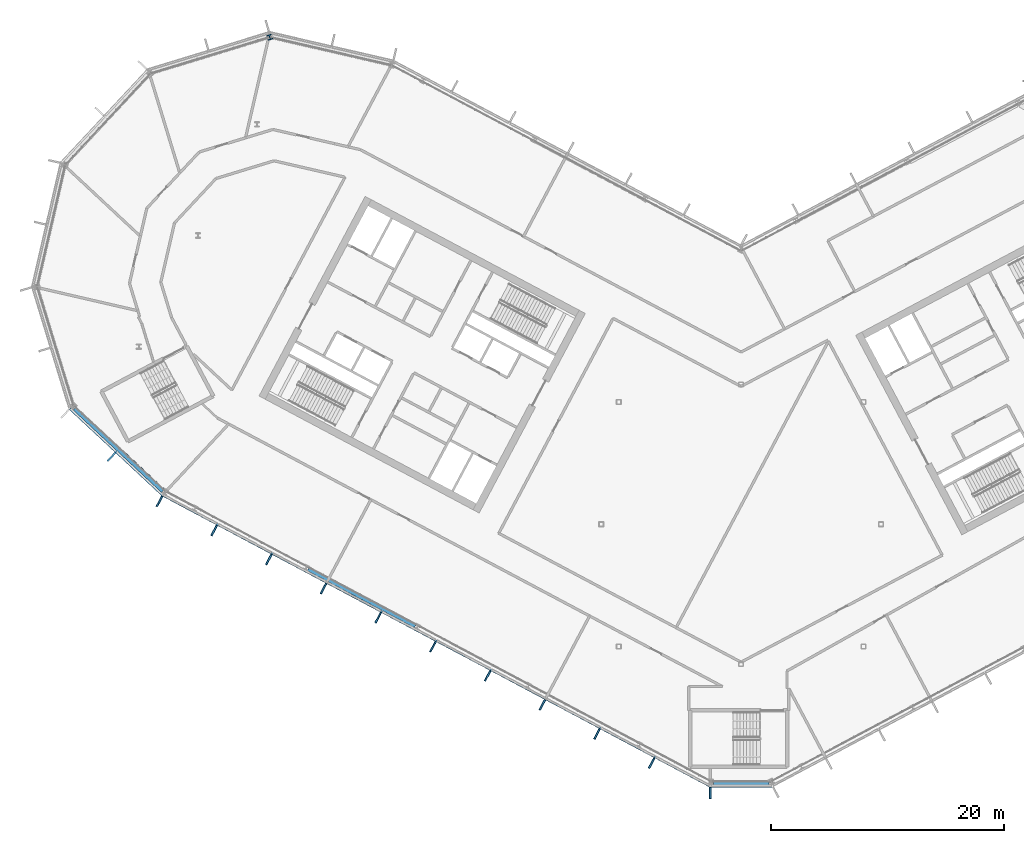
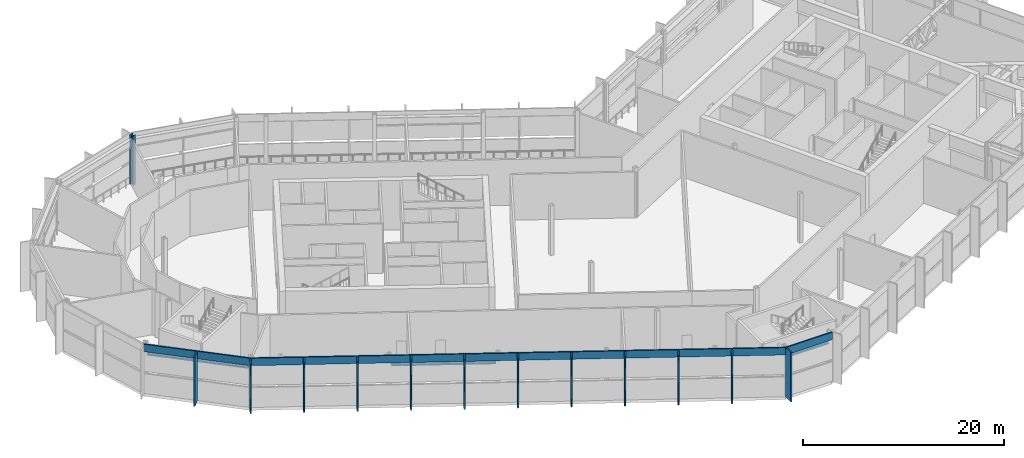
# One storey, part 8 of 33: 15 members, 3 beams, 1 column, 3 elements without a shape of their own.
"""IFC4 building model written with IfcOpenShell, lengths in metres."""

import ifcopenshell
import ifcopenshell.guid

model = None  # the IFC model being written
_history = None  # IfcOwnerHistory: only IFC2X3 demands one
_inside = {}  # id of a spatial element -> (the spatial element, [elements in it])
_under = {}  # id of a project, library or spatial element -> (it, [spatial elements below it])
_declared = {}  # id of a project -> (the project, [libraries it declares])
_typed = {}  # id of a type object -> (the type object, [elements of that type])
_made_of = {}  # id of a material, layer set ... -> (it, [elements and type objects made of it])


def new_model(schema):
    """Start an empty IFC model of exactly this schema.

    Asked for "IFC4X3", IfcOpenShell would pick the latest addendum, in which some entities
    have other attributes; the version numbers below select the first issue.
    IFC2X3 requires an IfcOwnerHistory on every rooted entity: one is made here for all.
    """
    global model, _history
    if schema == "IFC4X3":
        model = ifcopenshell.file(schema_version=(4, 3, 0, 0))
    else:
        model = ifcopenshell.file(schema=schema)
    _inside.clear()
    _under.clear()
    _declared.clear()
    _typed.clear()
    _made_of.clear()
    _history = None
    if model.schema == "IFC2X3":
        org = make("IfcOrganization", Name="unknown")
        user = make(
            "IfcPersonAndOrganization",
            ThePerson=make("IfcPerson", FamilyName="unknown"),
            TheOrganization=org,
        )
        app = make(
            "IfcApplication",
            ApplicationDeveloper=org,
            Version="unknown",
            ApplicationFullName="unknown",
            ApplicationIdentifier="unknown",
        )
        _history = make(
            "IfcOwnerHistory",
            OwningUser=user,
            OwningApplication=app,
            ChangeAction="ADDED",
            CreationDate=0,
        )
    return model


def make(cls, **values):
    """One entity of the class cls with the attributes given. An attribute that is None is left unset."""
    return model.create_entity(
        cls, **{name: value for name, value in values.items() if value is not None}
    )


def rooted(cls, **values):
    """An entity with a GlobalId (a new one), such as an element, a storey or a relation."""
    return make(cls, GlobalId=ifcopenshell.guid.new(), OwnerHistory=_history, **values)


def si_unit(unit_type, name, prefix=None):
    """IfcSIUnit, for example si_unit("LENGTHUNIT", "METRE", prefix="MILLI")."""
    return make("IfcSIUnit", UnitType=unit_type, Prefix=prefix, Name=name)


def assignment(units):
    """IfcUnitAssignment: the units of a project."""
    return None if units is None else make("IfcUnitAssignment", Units=units)


def point(xyz):
    """IfcCartesianPoint."""
    return None if xyz is None else make("IfcCartesianPoint", Coordinates=xyz)


def direction(xyz):
    """IfcDirection."""
    return None if xyz is None else make("IfcDirection", DirectionRatios=xyz)


def frame(location, z_axis=None, x_axis=None):
    """IfcAxis2Placement3D, a coordinate frame: its origin and axes. An axis left out is left unset."""
    return make(
        "IfcAxis2Placement3D",
        Location=point(location),
        Axis=direction(z_axis),
        RefDirection=direction(x_axis),
    )


def frame_2d(location, x_axis=None):
    """IfcAxis2Placement2D, a coordinate frame in the plane: its origin and x axis."""
    return make(
        "IfcAxis2Placement2D", Location=point(location), RefDirection=direction(x_axis)
    )


def origin():
    """The frame at (0, 0, 0) with its axes left unset."""
    return frame((0.0, 0.0, 0.0))


def origin_2d():
    """The frame at (0, 0) in the plane with its x axis left unset."""
    return frame_2d((0.0, 0.0))


def place(relative_to, where):
    """IfcLocalPlacement: puts the frame where relative to a parent placement (None: the world)."""
    return make(
        "IfcLocalPlacement", PlacementRelTo=relative_to, RelativePlacement=where
    )


def context(
    kind, dimensions, precision=None, world=None, true_north=None, identifier=None
):
    """IfcGeometricRepresentationContext, for example the 3D "Model" context."""
    return make(
        "IfcGeometricRepresentationContext",
        ContextIdentifier=identifier,
        ContextType=kind,
        CoordinateSpaceDimension=dimensions,
        Precision=precision,
        WorldCoordinateSystem=world,
        TrueNorth=true_north,
    )


def subcontext(parent, identifier, kind, view, scale=None):
    """IfcGeometricRepresentationSubContext, for example "Body" below "Model"."""
    return make(
        "IfcGeometricRepresentationSubContext",
        ContextIdentifier=identifier,
        ContextType=kind,
        ParentContext=parent,
        TargetScale=scale,
        TargetView=view,
    )


def project(units=None, contexts=None):
    """IfcProject with its units and contexts."""
    return rooted(
        "IfcProject",
        Name="project",
        RepresentationContexts=contexts,
        UnitsInContext=assignment(units),
    )


def spatial(cls, under=None, at=None, **own):
    """A site, building, storey or space (cls), placed at a placement, below another one or the project."""
    s = rooted(cls, ObjectPlacement=at, **own)
    if under is not None:
        _under.setdefault(under.id(), (under, []))[1].append(s)
    return s


def profile(cls, at=None, kind="AREA", **sizes):
    """A parametric profile (cls). Its sizes go by their IFC names, for example OverallWidth=200.0."""
    return make(cls, ProfileType=kind, Position=at, **sizes)


def rectangle(**sizes):
    """IfcRectangleProfileDef."""
    return profile("IfcRectangleProfileDef", **sizes)


def i_section(**sizes):
    """IfcIShapeProfileDef."""
    return profile("IfcIShapeProfileDef", **sizes)


def extrude(swept, where, along, depth):
    """IfcExtrudedAreaSolid: the profile swept, set in the frame where, extruded along a direction by depth."""
    return make(
        "IfcExtrudedAreaSolid",
        SweptArea=swept,
        Position=where,
        ExtrudedDirection=direction(along),
        Depth=depth,
    )


def shape(context_of_items, identifier, shape_type, items):
    """IfcShapeRepresentation: the items that make up one representation, for example the "Body"."""
    return make(
        "IfcShapeRepresentation",
        ContextOfItems=context_of_items,
        RepresentationIdentifier=identifier,
        RepresentationType=shape_type,
        Items=items,
    )


def material(Name=None, Category=None):
    """IfcMaterial."""
    return make("IfcMaterial", Name=Name, Category=Category)


def layer(
    of_material, thickness, ventilated=None, Name=None, Category=None, Priority=None
):
    """IfcMaterialLayer: one layer of a wall or slab, of a material (None: an air gap)."""
    return make(
        "IfcMaterialLayer",
        Material=of_material,
        LayerThickness=thickness,
        IsVentilated=ventilated,
        Name=Name,
        Category=Category,
        Priority=Priority,
    )


def layer_set(layers, Name=None):
    """IfcMaterialLayerSet."""
    return make("IfcMaterialLayerSet", MaterialLayers=layers, LayerSetName=Name)


def material_profile(
    of_material, cross_section, Name=None, Category=None, Priority=None
):
    """IfcMaterialProfile: a cross section and its material."""
    return make(
        "IfcMaterialProfile",
        Name=Name,
        Material=of_material,
        Profile=cross_section,
        Priority=Priority,
        Category=Category,
    )


def profile_set(profiles, Name=None, composite=None):
    """IfcMaterialProfileSet."""
    return make(
        "IfcMaterialProfileSet",
        Name=Name,
        MaterialProfiles=profiles,
        CompositeProfile=composite,
    )


def made_of(thing, what):
    """Note that an element or type object is made of a material, layer set ...; save() writes the relation."""
    if what is not None:
        _made_of.setdefault(what.id(), (what, []))[1].append(thing)
    return thing


def type_object(cls, material=None, **own):
    """A type object (cls), such as IfcWallType, which elements share."""
    return made_of(rooted(cls, **own), material)


def element(
    cls,
    number,
    at=None,
    inside=None,
    cuts=None,
    type_object=None,
    material=None,
    context=None,
    identifier="Body",
    shape_type=None,
    held_by="IfcProductDefinitionShape",
    body=None,
    shapes=None,
    **own,
):
    """One element of the class cls, such as IfcWall. Its Tag is "e" and its number.

    at: its placement. inside: the storey or other place that contains it. cuts: it is an
    opening in that element (IfcRelVoidsElement). A single representation is given by context,
    identifier, shape_type and body (its items); several are given by shapes. held_by: the class
    of the entity that holds the representations. save() writes the other relations.
    """
    e = rooted(cls, Tag="e%d" % number, ObjectPlacement=at, **own)
    if body is not None:
        shapes = [shape(context, identifier, shape_type, body)]
    if shapes is not None:
        e.Representation = make(held_by, Representations=shapes)
    if inside is not None:
        _inside.setdefault(inside.id(), (inside, []))[1].append(e)
    if cuts is not None:
        rooted(
            "IfcRelVoidsElement", RelatingBuildingElement=cuts, RelatedOpeningElement=e
        )
    if type_object is not None:
        _typed.setdefault(type_object.id(), (type_object, []))[1].append(e)
    return made_of(e, material)


def aggregate(whole, parts):
    """IfcRelAggregates: a whole, such as a stair, and the parts it consists of."""
    return rooted("IfcRelAggregates", RelatingObject=whole, RelatedObjects=parts)


def save(model, path):
    """Write the relations noted so far, then the file.

    IfcRelAggregates (storeys below a building ...), IfcRelContainedInSpatialStructure (elements
    in a storey), IfcRelDefinesByType, IfcRelAssociatesMaterial and IfcRelDeclares: one each for
    every whole, place, type object, material and project.
    """
    for whole, parts in _under.values():
        aggregate(whole, parts)
    for where, things in _inside.values():
        rooted(
            "IfcRelContainedInSpatialStructure",
            RelatedElements=things,
            RelatingStructure=where,
        )
    for kind, things in _typed.values():
        rooted("IfcRelDefinesByType", RelatedObjects=things, RelatingType=kind)
    for what, things in _made_of.values():
        rooted("IfcRelAssociatesMaterial", RelatedObjects=things, RelatingMaterial=what)
    for by, libraries in _declared.values():
        rooted("IfcRelDeclares", RelatingContext=by, RelatedDefinitions=libraries)
    model.write(path)


model = new_model("IFC4")

# Units and contexts
model_context = context("Model", 3, precision=1e-05, world=origin(), true_north=direction((0.0, 1.0)))
body_context = subcontext(model_context, "Body", "Model", "MODEL_VIEW")
ifc_project = project(units=[si_unit("LENGTHUNIT", "METRE"), si_unit("AREAUNIT", "SQUARE_METRE"), si_unit("VOLUMEUNIT", "CUBIC_METRE"), si_unit("PLANEANGLEUNIT", "RADIAN"), si_unit("MASSUNIT", "GRAM", prefix="KILO")], contexts=[model_context])

# Site, building, storey
site_placement = place(None, origin())
site = spatial("IfcSite", under=ifc_project, at=site_placement, CompositionType="ELEMENT")
building_placement = place(site_placement, origin())
building = spatial("IfcBuilding", under=site, at=building_placement, Name="Cormorant Relay Tower", CompositionType="ELEMENT")
storey_placement = place(building_placement, frame((0.0, 0.0, 252.0)))
storey = spatial("IfcBuildingStorey", under=building, at=storey_placement, Name="L56", CompositionType="ELEMENT", Elevation=252.0)

# Column
ifc_material_1 = material(Name="Steel ASTM A992 (Fy 345 MPa)", Category="steel")
ifc_material_profile_1 = material_profile(ifc_material_1, i_section(OverallWidth=0.41162109375, OverallDepth=0.434326171875, WebThickness=0.035888671875, FlangeThickness=0.057373046875, FilletRadius=0.01513671875, at=origin_2d()), Name="W360x463")
ifc_profile_set_1 = profile_set([ifc_material_profile_1], Name="Steel ASTM A992 (Fy 345 MPa)")
column_type = type_object("IfcColumnType", Name="Column W360x463", PredefinedType="COLUMN", material=ifc_profile_set_1)
column_placement = place(storey_placement, frame((-40.455078125, 41.803955078125, 0.0), z_axis=(0.0, 0.0, 1.0), x_axis=(-0.956304755963, -0.292371704723, 0.0)))
element("IfcColumn", 1, at=column_placement, inside=storey, type_object=column_type, Name="Column L56-045", PredefinedType="COLUMN", context=body_context, shape_type="SweptSolid", body=[
    extrude(i_section(OverallWidth=0.41162109375, OverallDepth=0.434326171875, WebThickness=0.035888671875, FlangeThickness=0.057373046875, FilletRadius=0.01513671875, at=origin_2d()), origin(), (0.0, 0.0, 1.0), 6.0),
])

# Curtain wall, member
ifc_material_2 = material(Name="Aluminium 6063-T6 anodised bronze", Category="aluminium")
ifc_layer = layer(ifc_material_2, 0.199951171875)
ifc_layer_set = layer_set([ifc_layer], Name="CW4 band louvre wall")
curtain_wall_type = type_object("IfcCurtainWallType", Name="CW4 band louvre wall", PredefinedType="NOTDEFINED", material=ifc_layer_set)
curtain_wall_1_placement = place(storey_placement, origin())
curtain_wall_1 = element("IfcCurtainWall", 2, at=curtain_wall_1_placement, inside=storey, type_object=curtain_wall_type, Name="CW4 curtain wall 1", PredefinedType="NOTDEFINED")
ifc_material_3 = material(Name="Aluminium 6063-T6 anodised bronze", Category="aluminium")
ifc_material_profile_2 = material_profile(ifc_material_3, rectangle(XDim=0.14990234375, YDim=1.0, at=origin_2d()), Name="AL 150x1000")
ifc_profile_set_2 = profile_set([ifc_material_profile_2], Name="Aluminium 6063-T6 anodised bronze")
member_type_1 = type_object("IfcMemberType", Name="CW4 bronze fin mullion 150 x 1000", PredefinedType="MULLION", material=ifc_profile_set_2)
member_1_placement = place(storey_placement, frame((-2.648681640625, -23.07568359375, 0.0), z_axis=(0.0, 0.0, 1.0), x_axis=(1.0, 0.0, 0.0)))
member_1 = element("IfcMember", 3, at=member_1_placement, type_object=member_type_1, Name="CW4 fin 1.1", PredefinedType="MULLION", context=body_context, shape_type="SweptSolid", body=[
    extrude(rectangle(XDim=0.14990234375, YDim=1.0, at=origin_2d()), origin(), (0.0, 0.0, 1.0), 6.0),
])

curtain_wall_2_placement = place(storey_placement, origin())
curtain_wall_2 = element("IfcCurtainWall", 4, at=curtain_wall_2_placement, inside=storey, type_object=curtain_wall_type, Name="CW4 curtain wall 15", PredefinedType="NOTDEFINED")
member_2_placement = place(storey_placement, frame((-54.0439453125, 5.779296875, 0.0), z_axis=(0.0, 0.0, 1.0), x_axis=(0.731353701619, -0.681998360062, 0.0)))
member_2 = element("IfcMember", 5, at=member_2_placement, type_object=member_type_1, Name="CW4 fin 15.2", PredefinedType="MULLION", context=body_context, shape_type="SweptSolid", body=[
    extrude(rectangle(XDim=0.14990234375, YDim=1.0, at=origin_2d()), origin(), (0.0, 0.0, 1.0), 6.0),
])

# Curtain wall, members
curtain_wall_3_placement = place(storey_placement, origin())
curtain_wall_3 = element("IfcCurtainWall", 6, at=curtain_wall_3_placement, inside=storey, type_object=curtain_wall_type, Name="CW4 curtain wall 16", PredefinedType="NOTDEFINED")
member_3_placement = place(storey_placement, frame((-49.920166015625, 1.96630859375, 0.0), z_axis=(0.0, 0.0, 1.0), x_axis=(0.882947592859, -0.469471562786, 0.0)))
member_3 = element("IfcMember", 7, at=member_3_placement, type_object=member_type_1, Name="CW4 fin 16.1", PredefinedType="MULLION", context=body_context, shape_type="SweptSolid", body=[
    extrude(rectangle(XDim=0.14990234375, YDim=1.0, at=origin_2d()), origin(), (0.0, 0.0, 1.0), 6.0),
])
member_4_placement = place(storey_placement, frame((-45.225830078125, -0.52978515625, 0.0), z_axis=(0.0, 0.0, 1.0), x_axis=(0.882947592859, -0.469471562786, 0.0)))
member_4 = element("IfcMember", 8, at=member_4_placement, type_object=member_type_1, Name="CW4 fin 16.2", PredefinedType="MULLION", context=body_context, shape_type="SweptSolid", body=[
    extrude(rectangle(XDim=0.14990234375, YDim=1.0, at=origin_2d()), origin(), (0.0, 0.0, 1.0), 6.0),
])
member_5_placement = place(storey_placement, frame((-40.531494140625, -3.025634765625, 0.0), z_axis=(0.0, 0.0, 1.0), x_axis=(0.882947592859, -0.469471562786, 0.0)))
member_5 = element("IfcMember", 9, at=member_5_placement, type_object=member_type_1, Name="CW4 fin 16.3", PredefinedType="MULLION", context=body_context, shape_type="SweptSolid", body=[
    extrude(rectangle(XDim=0.14990234375, YDim=1.0, at=origin_2d()), origin(), (0.0, 0.0, 1.0), 6.0),
])
member_6_placement = place(storey_placement, frame((-35.83740234375, -5.521728515625, 0.0), z_axis=(0.0, 0.0, 1.0), x_axis=(0.882947592859, -0.469471562786, 0.0)))
member_6 = element("IfcMember", 10, at=member_6_placement, type_object=member_type_1, Name="CW4 fin 16.4", PredefinedType="MULLION", context=body_context, shape_type="SweptSolid", body=[
    extrude(rectangle(XDim=0.14990234375, YDim=1.0, at=origin_2d()), origin(), (0.0, 0.0, 1.0), 6.0),
])
member_7_placement = place(storey_placement, frame((-31.14306640625, -8.017578125, 0.0), z_axis=(0.0, 0.0, 1.0), x_axis=(0.882947592859, -0.469471562786, 0.0)))
member_7 = element("IfcMember", 11, at=member_7_placement, type_object=member_type_1, Name="CW4 fin 16.5", PredefinedType="MULLION", context=body_context, shape_type="SweptSolid", body=[
    extrude(rectangle(XDim=0.14990234375, YDim=1.0, at=origin_2d()), origin(), (0.0, 0.0, 1.0), 6.0),
])
member_8_placement = place(storey_placement, frame((-26.44873046875, -10.513671875, 0.0), z_axis=(0.0, 0.0, 1.0), x_axis=(0.882947592859, -0.469471562786, 0.0)))
member_8 = element("IfcMember", 12, at=member_8_placement, type_object=member_type_1, Name="CW4 fin 16.6", PredefinedType="MULLION", context=body_context, shape_type="SweptSolid", body=[
    extrude(rectangle(XDim=0.14990234375, YDim=1.0, at=origin_2d()), origin(), (0.0, 0.0, 1.0), 6.0),
])
member_9_placement = place(storey_placement, frame((-21.754638671875, -13.009765625, 0.0), z_axis=(0.0, 0.0, 1.0), x_axis=(0.882947592859, -0.469471562786, 0.0)))
member_9 = element("IfcMember", 13, at=member_9_placement, type_object=member_type_1, Name="CW4 fin 16.7", PredefinedType="MULLION", context=body_context, shape_type="SweptSolid", body=[
    extrude(rectangle(XDim=0.14990234375, YDim=1.0, at=origin_2d()), origin(), (0.0, 0.0, 1.0), 6.0),
])
member_10_placement = place(storey_placement, frame((-17.060302734375, -15.505615234375, 0.0), z_axis=(0.0, 0.0, 1.0), x_axis=(0.882947592859, -0.469471562786, 0.0)))
member_10 = element("IfcMember", 14, at=member_10_placement, type_object=member_type_1, Name="CW4 fin 16.8", PredefinedType="MULLION", context=body_context, shape_type="SweptSolid", body=[
    extrude(rectangle(XDim=0.14990234375, YDim=1.0, at=origin_2d()), origin(), (0.0, 0.0, 1.0), 6.0),
])
member_11_placement = place(storey_placement, frame((-12.365966796875, -18.001708984375, 0.0), z_axis=(0.0, 0.0, 1.0), x_axis=(0.882947592859, -0.469471562786, 0.0)))
member_11 = element("IfcMember", 15, at=member_11_placement, type_object=member_type_1, Name="CW4 fin 16.9", PredefinedType="MULLION", context=body_context, shape_type="SweptSolid", body=[
    extrude(rectangle(XDim=0.14990234375, YDim=1.0, at=origin_2d()), origin(), (0.0, 0.0, 1.0), 6.0),
])
member_12_placement = place(storey_placement, frame((-7.671630859375, -20.49755859375, 0.0), z_axis=(0.0, 0.0, 1.0), x_axis=(0.882947592859, -0.469471562786, 0.0)))
member_12 = element("IfcMember", 16, at=member_12_placement, type_object=member_type_1, Name="CW4 fin 16.10", PredefinedType="MULLION", context=body_context, shape_type="SweptSolid", body=[
    extrude(rectangle(XDim=0.14990234375, YDim=1.0, at=origin_2d()), origin(), (0.0, 0.0, 1.0), 6.0),
])

# Member
ifc_material_4 = material(Name="Aluminium 6063-T6 anodised bronze", Category="aluminium")
ifc_material_profile_3 = material_profile(ifc_material_4, rectangle(XDim=0.159912109375, YDim=0.89990234375, at=origin_2d()), Name="AL 160x900")
ifc_profile_set_3 = profile_set([ifc_material_profile_3], Name="Aluminium 6063-T6 anodised bronze")
member_type_2 = type_object("IfcMemberType", Name="CW4 bronze transom 160 x 900", PredefinedType="USERDEFINED", material=ifc_profile_set_3)
member_13_placement = place(storey_placement, frame((-2.648681640625, -22.49560546875, 5.550048828125), z_axis=(1.0, 0.0, 0.0), x_axis=(0.0, 1.0, 0.0)))
member_13 = element("IfcMember", 17, at=member_13_placement, type_object=member_type_2, Name="CW4 transom 1", ObjectType="TRANSOM", PredefinedType="USERDEFINED", context=body_context, shape_type="SweptSolid", body=[
    extrude(rectangle(XDim=0.159912109375, YDim=0.89990234375, at=origin_2d()), origin(), (0.0, 0.0, 1.0), 5.29736328125),
])

aggregate(curtain_wall_1, [member_1, member_13])

member_14_placement = place(storey_placement, frame((-57.62353515625, 9.91015625, 5.550048828125), z_axis=(0.731358420696, -0.681993299437, 0.0), x_axis=(0.681993299437, 0.731358420696, 0.0)))
member_14 = element("IfcMember", 18, at=member_14_placement, type_object=member_type_2, Name="CW4 transom 15", ObjectType="TRANSOM", PredefinedType="USERDEFINED", context=body_context, shape_type="SweptSolid", body=[
    extrude(rectangle(XDim=0.159912109375, YDim=0.89990234375, at=origin_2d()), origin(), (0.0, 0.0, 1.0), 10.870361328125),
])

aggregate(curtain_wall_2, [member_2, member_14])

member_15_placement = place(storey_placement, frame((-49.64794921875, 2.478515625, 5.550048828125), z_axis=(0.882947642542, -0.469471469346, 0.0), x_axis=(0.469471469346, 0.882947642542, 0.0)))
member_15 = element("IfcMember", 19, at=member_15_placement, type_object=member_type_2, Name="CW4 transom 16", ObjectType="TRANSOM", PredefinedType="USERDEFINED", context=body_context, shape_type="SweptSolid", body=[
    extrude(rectangle(XDim=0.159912109375, YDim=0.89990234375, at=origin_2d()), origin(), (0.0, 0.0, 1.0), 53.166015625),
])

aggregate(curtain_wall_3, [member_3, member_4, member_5, member_6, member_7, member_8, member_9, member_10, member_11, member_12, member_15])

# Beams
ifc_material_5 = material(Name="Steel ASTM A992 (Fy 345 MPa)", Category="steel")
ifc_material_profile_4 = material_profile(ifc_material_5, i_section(OverallWidth=0.4013671875, OverallDepth=0.990478515625, WebThickness=0.0166015625, FlangeThickness=0.031005859375, FilletRadius=0.030029296875, at=origin_2d()), Name="W1000x320")
ifc_profile_set_4 = profile_set([ifc_material_profile_4], Name="Steel ASTM A992 (Fy 345 MPa)")
beam_type = type_object("IfcBeamType", Name="Spandrel W1000x320", PredefinedType="SPANDREL", material=ifc_profile_set_4)
beam_1_placement = place(storey_placement, frame((-2.3701171875, -22.1748046875, 5.0546875), z_axis=(1.0, 0.0, 0.0), x_axis=(0.0, 1.0, 0.0)))
element("IfcBeam", 20, at=beam_1_placement, inside=storey, type_object=beam_type, Name="Spandrel beam L56-001", PredefinedType="SPANDREL", context=body_context, shape_type="SweptSolid", body=[
    extrude(i_section(OverallWidth=0.4013671875, OverallDepth=0.990478515625, WebThickness=0.0166015625, FlangeThickness=0.031005859375, FilletRadius=0.030029296875, at=origin_2d()), origin(), (0.0, 0.0, 1.0), 4.761474609375),
])
beam_2_placement = place(storey_placement, frame((-57.19580078125, 9.94970703125, 5.0546875), z_axis=(0.731351589689, -0.682000624824, 0.0), x_axis=(0.682000624824, 0.731351589689, 0.0)))
element("IfcBeam", 21, at=beam_2_placement, inside=storey, type_object=beam_type, Name="Spandrel beam L56-014", PredefinedType="SPANDREL", context=body_context, shape_type="SweptSolid", body=[
    extrude(i_section(OverallWidth=0.4013671875, OverallDepth=0.990478515625, WebThickness=0.0166015625, FlangeThickness=0.031005859375, FilletRadius=0.030029296875, at=origin_2d()), origin(), (0.0, 0.0, 1.0), 10.354248046875),
])
beam_3_placement = place(storey_placement, frame((-37.134033203125, -3.812255859375, 5.0546875), z_axis=(0.882949648898, -0.469467695918, 0.0), x_axis=(0.469467695918, 0.882949648898, 0.0)))
element("IfcBeam", 22, at=beam_3_placement, inside=storey, type_object=beam_type, Name="Spandrel beam L56-015", PredefinedType="SPANDREL", context=body_context, shape_type="SweptSolid", body=[
    extrude(i_section(OverallWidth=0.4013671875, OverallDepth=0.990478515625, WebThickness=0.0166015625, FlangeThickness=0.031005859375, FilletRadius=0.030029296875, at=origin_2d()), origin(), (0.0, 0.0, 1.0), 10.39599609375),
])

save(model, "model.ifc")
